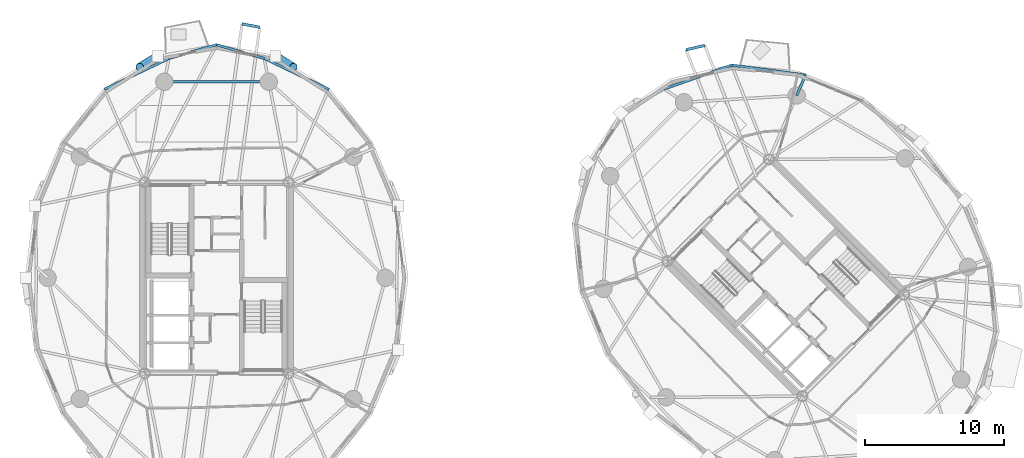
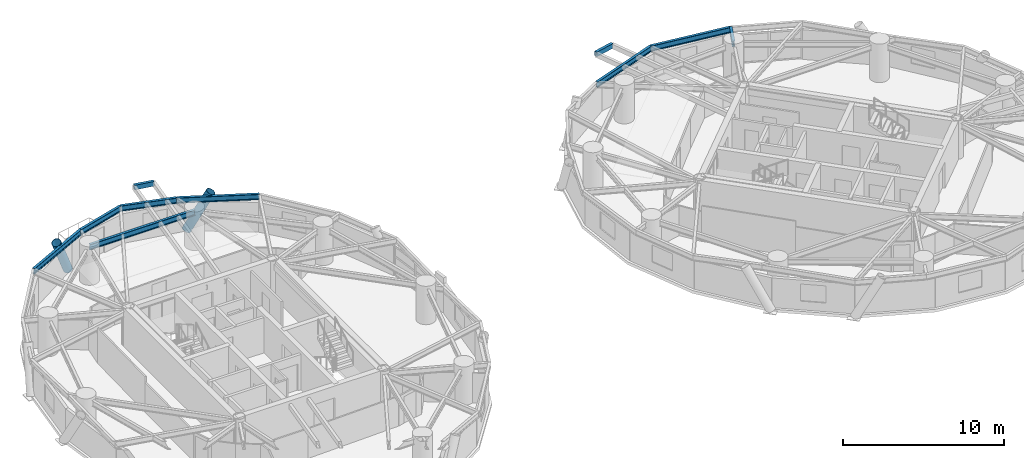
# One storey, part 6 of 17: 10 beams, 2 members.
"""IFC4 building model written with IfcOpenShell, lengths in metres."""

from ifc_helpers import new_model, si_unit, direction, frame, origin, origin_2d, place, context, subcontext, project, spatial, hollow_rectangle, hollow_circle, i_section, extrude, material, material_profile, profile_set, type_object, element, save


model = new_model("IFC4")

# Units and contexts
model_context = context("Model", 3, precision=1e-05, world=origin(), true_north=direction((0.0, 1.0)))
body_context = subcontext(model_context, "Body", "Model", "MODEL_VIEW")
ifc_project = project(units=[si_unit("LENGTHUNIT", "METRE"), si_unit("AREAUNIT", "SQUARE_METRE"), si_unit("VOLUMEUNIT", "CUBIC_METRE"), si_unit("PLANEANGLEUNIT", "RADIAN"), si_unit("MASSUNIT", "GRAM", prefix="KILO")], contexts=[model_context])

# Site, building, storey
site_placement = place(None, origin())
site = spatial("IfcSite", under=ifc_project, at=site_placement, CompositionType="ELEMENT")
building_placement = place(site_placement, origin())
building = spatial("IfcBuilding", under=site, at=building_placement, Name="Cununo Teusaquillo Station Towers", CompositionType="ELEMENT")
storey_placement = place(building_placement, frame((0.0, 0.0, 186.52001953125)))
storey = spatial("IfcBuildingStorey", under=building, at=storey_placement, Name="L59", CompositionType="ELEMENT", Elevation=186.52001953125)

# Beams
ifc_material_1 = material(Name="Steel ASTM A572 Grade 50", Category="steel")
ifc_material_profile_1 = material_profile(ifc_material_1, i_section(OverallWidth=0.180908203125, OverallDepth=0.4169921875, WebThickness=0.010986328125, FlangeThickness=0.018310546875, FilletRadius=0.012939453125, at=origin_2d()), Name="W16X57")
ifc_profile_set_1 = profile_set([ifc_material_profile_1], Name="Steel ASTM A572 Grade 50")
beam_type_1 = type_object("IfcBeamType", Name="BM-RAD-G2", PredefinedType="BEAM", material=ifc_profile_set_1)
beam_1_placement = place(storey_placement, frame((58.291015625, 37.63525390625, 2.4814453125), z_axis=(0.397381487564, 0.917653503966, 0.0), x_axis=(-0.917653503966, 0.397381487564, 0.0)))
element("IfcBeam", 1, at=beam_1_placement, inside=storey, type_object=beam_type_1, Name="L59 Tower B Perimeter Overhang Girder 02B", PredefinedType="BEAM", context=body_context, shape_type="SweptSolid", body=[
    extrude(i_section(OverallWidth=0.180908203125, OverallDepth=0.4169921875, WebThickness=0.010986328125, FlangeThickness=0.018310546875, FilletRadius=0.012939453125, at=origin_2d()), origin(), (0.0, 0.0, 1.0), 1.607177734375),
])
ifc_material_2 = material(Name="Steel ASTM A572 Grade 50", Category="steel")
ifc_material_profile_2 = material_profile(ifc_material_2, i_section(OverallWidth=0.180908203125, OverallDepth=0.4169921875, WebThickness=0.010986328125, FlangeThickness=0.018310546875, FilletRadius=0.012939453125, at=origin_2d()), Name="W16X57")
ifc_profile_set_2 = profile_set([ifc_material_profile_2], Name="Steel ASTM A572 Grade 50")
beam_type_2 = type_object("IfcBeamType", Name="BM-RING-Z3", PredefinedType="SPANDREL", material=ifc_profile_set_2)
beam_2_placement = place(storey_placement, frame((20.261474609375, 38.623291015625, 2.4814453125), z_axis=(-1.0, 0.0, 0.0), x_axis=(0.0, -1.0, 0.0)))
element("IfcBeam", 2, at=beam_2_placement, inside=storey, type_object=beam_type_2, Name="L59 Tower A Structural Column Ring Girder 03", PredefinedType="SPANDREL", context=body_context, shape_type="SweptSolid", body=[
    extrude(i_section(OverallWidth=0.180908203125, OverallDepth=0.4169921875, WebThickness=0.010986328125, FlangeThickness=0.018310546875, FilletRadius=0.012939453125, at=origin_2d()), origin(), (0.0, 0.0, 1.0), 7.52294921875),
])
beam_3_placement = place(storey_placement, frame((24.58251953125, 38.08349609375, 2.4814453125), z_axis=(-0.902031610991, 0.431669981319, 0.0), x_axis=(-0.431669981319, -0.902031610991, 0.0)))
element("IfcBeam", 3, at=beam_3_placement, inside=storey, type_object=beam_type_2, Name="L59 Tower A Spandrel Ring Beam 04", PredefinedType="SPANDREL", context=body_context, shape_type="SweptSolid", body=[
    extrude(i_section(OverallWidth=0.180908203125, OverallDepth=0.4169921875, WebThickness=0.010986328125, FlangeThickness=0.018310546875, FilletRadius=0.012939453125, at=origin_2d()), origin(), (0.0, 0.0, 1.0), 5.1552734375),
])
for number, where, z_axis, x_axis, name in (
    (4, (19.932373046875, 40.308837890625, 2.4814453125), (-0.961485227168, 0.274856613414, 0.0), (-0.274856613414, -0.961485227168, 0.0), "L59 Tower A Spandrel Ring Beam 05"),
    (5, (16.5, 41.2900390625, 2.4814453125), (-0.961485227168, -0.274856613414, 0.0), (0.274856613414, -0.961485227168, 0.0), "L59 Tower A Spandrel Ring Beam 06"),
):
    element("IfcBeam", number, at=place(storey_placement, frame(where, z_axis=z_axis, x_axis=x_axis)), inside=storey, type_object=beam_type_2, Name=name, PredefinedType="SPANDREL", context=body_context, shape_type="SweptSolid", body=[
        extrude(i_section(OverallWidth=0.180908203125, OverallDepth=0.4169921875, WebThickness=0.010986328125, FlangeThickness=0.018310546875, FilletRadius=0.012939453125, at=origin_2d()), origin(), (0.0, 0.0, 1.0), 3.56982421875),
    ])
beam_4_placement = place(storey_placement, frame((13.067626953125, 40.308837890625, 2.4814453125), z_axis=(-0.902031610991, -0.431669981319, 0.0), x_axis=(0.431669981319, -0.902031610991, 0.0)))
element("IfcBeam", 6, at=beam_4_placement, inside=storey, type_object=beam_type_2, Name="L59 Tower A Spandrel Ring Beam 07", PredefinedType="SPANDREL", context=body_context, shape_type="SweptSolid", body=[
    extrude(i_section(OverallWidth=0.180908203125, OverallDepth=0.4169921875, WebThickness=0.010986328125, FlangeThickness=0.018310546875, FilletRadius=0.012939453125, at=origin_2d()), origin(), (0.0, 0.0, 1.0), 5.1552734375),
])
beam_5_placement = place(storey_placement, frame((58.9296875, 39.110107421875, 2.4814453125), z_axis=(-0.991204443213, 0.132339532096, 0.0), x_axis=(-0.132339532096, -0.991204443213, 0.0)))
element("IfcBeam", 7, at=beam_5_placement, inside=storey, type_object=beam_type_2, Name="L59 Tower B Spandrel Ring Beam 03", PredefinedType="SPANDREL", context=body_context, shape_type="SweptSolid", body=[
    extrude(i_section(OverallWidth=0.180908203125, OverallDepth=0.4169921875, WebThickness=0.010986328125, FlangeThickness=0.018310546875, FilletRadius=0.012939453125, at=origin_2d()), origin(), (0.0, 0.0, 1.0), 5.366455078125),
])
beam_6_placement = place(storey_placement, frame((53.6103515625, 39.8203125, 2.4814453125), z_axis=(-0.943071614141, -0.332589733158, 0.0), x_axis=(0.332589733158, -0.943071614141, 0.0)))
element("IfcBeam", 8, at=beam_6_placement, inside=storey, type_object=beam_type_2, Name="L59 Tower B Spandrel Ring Beam 04", PredefinedType="SPANDREL", context=body_context, shape_type="SweptSolid", body=[
    extrude(i_section(OverallWidth=0.180908203125, OverallDepth=0.4169921875, WebThickness=0.010986328125, FlangeThickness=0.018310546875, FilletRadius=0.012939453125, at=origin_2d()), origin(), (0.0, 0.0, 1.0), 5.1552734375),
])
ifc_material_3 = material(Name="Steel EN 10025-2 S355J2", Category="steel")
ifc_material_profile_3 = material_profile(ifc_material_3, hollow_rectangle(XDim=0.199951171875, YDim=0.35009765625, WallThickness=0.013916015625, at=origin_2d()), Name="RHS 350x200x14")
ifc_profile_set_3 = profile_set([ifc_material_profile_3], Name="Steel EN 10025-2 S355J2")
beam_type_3 = type_object("IfcBeamType", Name="BM-STAIR-TRIM", PredefinedType="BEAM", material=ifc_profile_set_3)
beam_7_placement = place(storey_placement, frame((19.60400390625, 42.5498046875, 2.52490234375), z_axis=(-0.981844538169, 0.189687381942, 0.0), x_axis=(-0.189687381942, -0.981844538169, 0.0)))
element("IfcBeam", 9, at=beam_7_placement, inside=storey, type_object=beam_type_3, Name="L59 Tower A Balcony Edge Trimmer Beam 1", PredefinedType="BEAM", context=body_context, shape_type="SweptSolid", body=[
    extrude(hollow_rectangle(XDim=0.199951171875, YDim=0.35009765625, WallThickness=0.013916015625, at=origin_2d()), origin(), (0.0, 0.0, 1.0), 1.29345703125),
])
beam_8_placement = place(storey_placement, frame((51.66552734375, 41.2421875, 2.52490234375), z_axis=(-0.97385292675, -0.227179394005, 0.0), x_axis=(0.227179394005, -0.97385292675, 0.0)))
element("IfcBeam", 10, at=beam_8_placement, inside=storey, type_object=beam_type_3, Name="L59 Tower B Balcony Edge Trimmer Beam 1", PredefinedType="BEAM", context=body_context, shape_type="SweptSolid", body=[
    extrude(hollow_rectangle(XDim=0.199951171875, YDim=0.35009765625, WallThickness=0.013916015625, at=origin_2d()), origin(), (0.0, 0.0, 1.0), 1.383056640625),
])

# Members
ifc_material_4 = material(Name="Steel EN 10025-2 S355J2", Category="steel")
ifc_material_profile_4 = material_profile(ifc_material_4, hollow_circle(Radius=0.304931640625, WallThickness=0.02001953125, at=origin_2d()), Name="CHS 610x20")
ifc_profile_set_4 = profile_set([ifc_material_profile_4], Name="Steel EN 10025-2 S355J2")
member_type = type_object("IfcMemberType", Name="MBR-DIAG-Z3", PredefinedType="BRACE", material=ifc_profile_set_4)
for number, where, z_axis, x_axis, name in (
    (11, (20.749267578125, 40.46826171875, -0.14013671875), (0.390029746929, -0.242632184945, 0.888260333089), (0.528218719344, 0.849108346758, 0.0), "L59 Tower A Folded-Zigzag Diagrid Tube C03"),
    (12, (12.250732421875, 40.46826171875, -0.14013671875), (-0.390029746929, -0.242632184945, 0.888260333089), (0.528218719344, -0.849108346758, 0.0), "L59 Tower A Folded-Zigzag Diagrid Tube C06"),
):
    element("IfcMember", number, at=place(storey_placement, frame(where, z_axis=z_axis, x_axis=x_axis)), inside=storey, type_object=member_type, Name=name, PredefinedType="BRACE", context=body_context, shape_type="SweptSolid", body=[
        extrude(hollow_circle(Radius=0.304931640625, WallThickness=0.02001953125, at=origin_2d()), origin(), (0.0, 0.0, 1.0), 3.276123046875),
    ])

save(model, "model.ifc")
